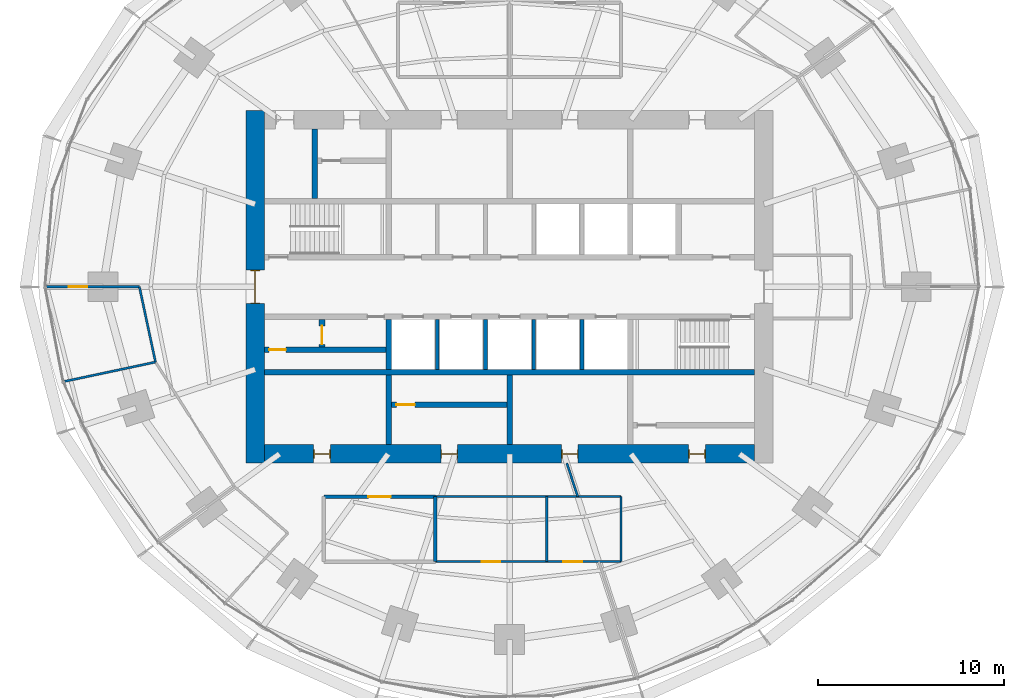
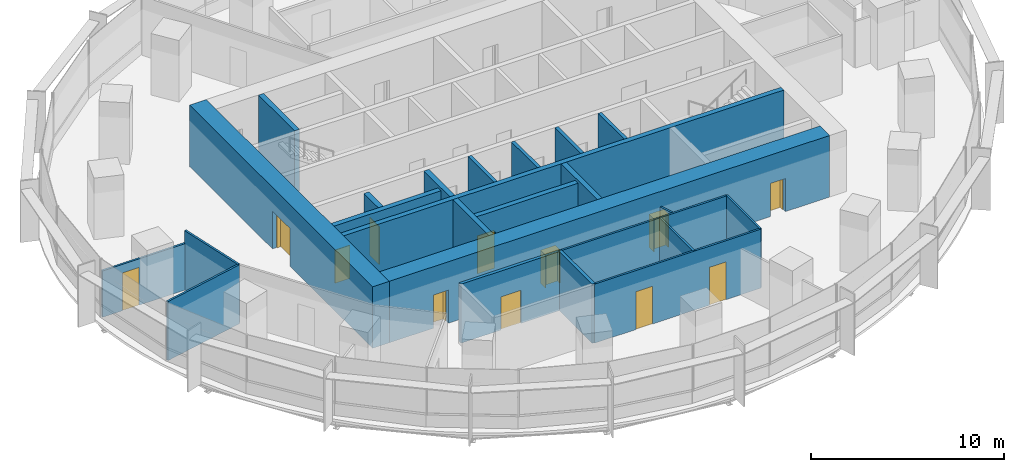
# One storey, part 10 of 14: 24 walls, 12 doors, 12 openings.
"""IFC4 building model written with IfcOpenShell, lengths in metres."""

import ifcopenshell
import ifcopenshell.guid

model = None  # the IFC model being written
_history = None  # IfcOwnerHistory: only IFC2X3 demands one
_inside = {}  # id of a spatial element -> (the spatial element, [elements in it])
_under = {}  # id of a project, library or spatial element -> (it, [spatial elements below it])
_declared = {}  # id of a project -> (the project, [libraries it declares])
_typed = {}  # id of a type object -> (the type object, [elements of that type])
_made_of = {}  # id of a material, layer set ... -> (it, [elements and type objects made of it])


def new_model(schema):
    """Start an empty IFC model of exactly this schema.

    Asked for "IFC4X3", IfcOpenShell would pick the latest addendum, in which some entities
    have other attributes; the version numbers below select the first issue.
    IFC2X3 requires an IfcOwnerHistory on every rooted entity: one is made here for all.
    """
    global model, _history
    if schema == "IFC4X3":
        model = ifcopenshell.file(schema_version=(4, 3, 0, 0))
    else:
        model = ifcopenshell.file(schema=schema)
    _inside.clear()
    _under.clear()
    _declared.clear()
    _typed.clear()
    _made_of.clear()
    _history = None
    if model.schema == "IFC2X3":
        org = make("IfcOrganization", Name="unknown")
        user = make(
            "IfcPersonAndOrganization",
            ThePerson=make("IfcPerson", FamilyName="unknown"),
            TheOrganization=org,
        )
        app = make(
            "IfcApplication",
            ApplicationDeveloper=org,
            Version="unknown",
            ApplicationFullName="unknown",
            ApplicationIdentifier="unknown",
        )
        _history = make(
            "IfcOwnerHistory",
            OwningUser=user,
            OwningApplication=app,
            ChangeAction="ADDED",
            CreationDate=0,
        )
    return model


def make(cls, **values):
    """One entity of the class cls with the attributes given. An attribute that is None is left unset."""
    return model.create_entity(
        cls, **{name: value for name, value in values.items() if value is not None}
    )


def rooted(cls, **values):
    """An entity with a GlobalId (a new one), such as an element, a storey or a relation."""
    return make(cls, GlobalId=ifcopenshell.guid.new(), OwnerHistory=_history, **values)


def si_unit(unit_type, name, prefix=None):
    """IfcSIUnit, for example si_unit("LENGTHUNIT", "METRE", prefix="MILLI")."""
    return make("IfcSIUnit", UnitType=unit_type, Prefix=prefix, Name=name)


def assignment(units):
    """IfcUnitAssignment: the units of a project."""
    return None if units is None else make("IfcUnitAssignment", Units=units)


def point(xyz):
    """IfcCartesianPoint."""
    return None if xyz is None else make("IfcCartesianPoint", Coordinates=xyz)


def direction(xyz):
    """IfcDirection."""
    return None if xyz is None else make("IfcDirection", DirectionRatios=xyz)


def frame(location, z_axis=None, x_axis=None):
    """IfcAxis2Placement3D, a coordinate frame: its origin and axes. An axis left out is left unset."""
    return make(
        "IfcAxis2Placement3D",
        Location=point(location),
        Axis=direction(z_axis),
        RefDirection=direction(x_axis),
    )


def frame_2d(location, x_axis=None):
    """IfcAxis2Placement2D, a coordinate frame in the plane: its origin and x axis."""
    return make(
        "IfcAxis2Placement2D", Location=point(location), RefDirection=direction(x_axis)
    )


def origin():
    """The frame at (0, 0, 0) with its axes left unset."""
    return frame((0.0, 0.0, 0.0))


def place(relative_to, where):
    """IfcLocalPlacement: puts the frame where relative to a parent placement (None: the world)."""
    return make(
        "IfcLocalPlacement", PlacementRelTo=relative_to, RelativePlacement=where
    )


def context(
    kind, dimensions, precision=None, world=None, true_north=None, identifier=None
):
    """IfcGeometricRepresentationContext, for example the 3D "Model" context."""
    return make(
        "IfcGeometricRepresentationContext",
        ContextIdentifier=identifier,
        ContextType=kind,
        CoordinateSpaceDimension=dimensions,
        Precision=precision,
        WorldCoordinateSystem=world,
        TrueNorth=true_north,
    )


def subcontext(parent, identifier, kind, view, scale=None):
    """IfcGeometricRepresentationSubContext, for example "Body" below "Model"."""
    return make(
        "IfcGeometricRepresentationSubContext",
        ContextIdentifier=identifier,
        ContextType=kind,
        ParentContext=parent,
        TargetScale=scale,
        TargetView=view,
    )


def project(units=None, contexts=None):
    """IfcProject with its units and contexts."""
    return rooted(
        "IfcProject",
        Name="project",
        RepresentationContexts=contexts,
        UnitsInContext=assignment(units),
    )


def spatial(cls, under=None, at=None, **own):
    """A site, building, storey or space (cls), placed at a placement, below another one or the project."""
    s = rooted(cls, ObjectPlacement=at, **own)
    if under is not None:
        _under.setdefault(under.id(), (under, []))[1].append(s)
    return s


def profile(cls, at=None, kind="AREA", **sizes):
    """A parametric profile (cls). Its sizes go by their IFC names, for example OverallWidth=200.0."""
    return make(cls, ProfileType=kind, Position=at, **sizes)


def rectangle(**sizes):
    """IfcRectangleProfileDef."""
    return profile("IfcRectangleProfileDef", **sizes)


def extrude(swept, where, along, depth):
    """IfcExtrudedAreaSolid: the profile swept, set in the frame where, extruded along a direction by depth."""
    return make(
        "IfcExtrudedAreaSolid",
        SweptArea=swept,
        Position=where,
        ExtrudedDirection=direction(along),
        Depth=depth,
    )


def shape(context_of_items, identifier, shape_type, items):
    """IfcShapeRepresentation: the items that make up one representation, for example the "Body"."""
    return make(
        "IfcShapeRepresentation",
        ContextOfItems=context_of_items,
        RepresentationIdentifier=identifier,
        RepresentationType=shape_type,
        Items=items,
    )


def material(Name=None, Category=None):
    """IfcMaterial."""
    return make("IfcMaterial", Name=Name, Category=Category)


def layer(
    of_material, thickness, ventilated=None, Name=None, Category=None, Priority=None
):
    """IfcMaterialLayer: one layer of a wall or slab, of a material (None: an air gap)."""
    return make(
        "IfcMaterialLayer",
        Material=of_material,
        LayerThickness=thickness,
        IsVentilated=ventilated,
        Name=Name,
        Category=Category,
        Priority=Priority,
    )


def layer_set(layers, Name=None):
    """IfcMaterialLayerSet."""
    return make("IfcMaterialLayerSet", MaterialLayers=layers, LayerSetName=Name)


def made_of(thing, what):
    """Note that an element or type object is made of a material, layer set ...; save() writes the relation."""
    if what is not None:
        _made_of.setdefault(what.id(), (what, []))[1].append(thing)
    return thing


def type_object(cls, material=None, **own):
    """A type object (cls), such as IfcWallType, which elements share."""
    return made_of(rooted(cls, **own), material)


def element(
    cls,
    number,
    at=None,
    inside=None,
    cuts=None,
    type_object=None,
    material=None,
    context=None,
    identifier="Body",
    shape_type=None,
    held_by="IfcProductDefinitionShape",
    body=None,
    shapes=None,
    **own,
):
    """One element of the class cls, such as IfcWall. Its Tag is "e" and its number.

    at: its placement. inside: the storey or other place that contains it. cuts: it is an
    opening in that element (IfcRelVoidsElement). A single representation is given by context,
    identifier, shape_type and body (its items); several are given by shapes. held_by: the class
    of the entity that holds the representations. save() writes the other relations.
    """
    e = rooted(cls, Tag="e%d" % number, ObjectPlacement=at, **own)
    if body is not None:
        shapes = [shape(context, identifier, shape_type, body)]
    if shapes is not None:
        e.Representation = make(held_by, Representations=shapes)
    if inside is not None:
        _inside.setdefault(inside.id(), (inside, []))[1].append(e)
    if cuts is not None:
        rooted(
            "IfcRelVoidsElement", RelatingBuildingElement=cuts, RelatedOpeningElement=e
        )
    if type_object is not None:
        _typed.setdefault(type_object.id(), (type_object, []))[1].append(e)
    return made_of(e, material)


def fill(opening, filler):
    """IfcRelFillsElement: the door or window that sits in an opening."""
    return rooted(
        "IfcRelFillsElement",
        RelatingOpeningElement=opening,
        RelatedBuildingElement=filler,
    )


def aggregate(whole, parts):
    """IfcRelAggregates: a whole, such as a stair, and the parts it consists of."""
    return rooted("IfcRelAggregates", RelatingObject=whole, RelatedObjects=parts)


def save(model, path):
    """Write the relations noted so far, then the file.

    IfcRelAggregates (storeys below a building ...), IfcRelContainedInSpatialStructure (elements
    in a storey), IfcRelDefinesByType, IfcRelAssociatesMaterial and IfcRelDeclares: one each for
    every whole, place, type object, material and project.
    """
    for whole, parts in _under.values():
        aggregate(whole, parts)
    for where, things in _inside.values():
        rooted(
            "IfcRelContainedInSpatialStructure",
            RelatedElements=things,
            RelatingStructure=where,
        )
    for kind, things in _typed.values():
        rooted("IfcRelDefinesByType", RelatedObjects=things, RelatingType=kind)
    for what, things in _made_of.values():
        rooted("IfcRelAssociatesMaterial", RelatedObjects=things, RelatingMaterial=what)
    for by, libraries in _declared.values():
        rooted("IfcRelDeclares", RelatingContext=by, RelatedDefinitions=libraries)
    model.write(path)


model = new_model("IFC4")

# Units and contexts
model_context = context("Model", 3, precision=1e-05, world=origin(), true_north=direction((0.0, 1.0)))
body_context = subcontext(model_context, "Body", "Model", "MODEL_VIEW")
ifc_project = project(units=[si_unit("LENGTHUNIT", "METRE"), si_unit("AREAUNIT", "SQUARE_METRE"), si_unit("VOLUMEUNIT", "CUBIC_METRE"), si_unit("PLANEANGLEUNIT", "RADIAN"), si_unit("MASSUNIT", "GRAM", prefix="KILO")], contexts=[model_context])

# Site, building, storey
site_placement = place(None, origin())
site = spatial("IfcSite", under=ifc_project, at=site_placement, CompositionType="ELEMENT")
building_placement = place(site_placement, origin())
building = spatial("IfcBuilding", under=site, at=building_placement, Name="Marramba Exchange Tower", CompositionType="ELEMENT")
storey_placement = place(building_placement, frame((0.0, 0.0, 100.199951171875)))
storey = spatial("IfcBuildingStorey", under=building, at=storey_placement, Name="L23", CompositionType="ELEMENT", Elevation=100.199951171875)

# Walls
ifc_material_1 = material(Name="Concrete N50", Category="concrete")
ifc_layer_1 = layer(ifc_material_1, 0.199951171875)
ifc_layer_set_1 = layer_set([ifc_layer_1], Name="Core shaft wall 200")
wall_type_1 = type_object("IfcWallType", Name="Core shaft wall 200", PredefinedType="SHEAR", material=ifc_layer_set_1)
for number, where, z_axis, x_axis, name in (
    (1, (-3.89990234375, -1.75, 0.0), (0.0, 0.0, 1.0), (0.0, -1.0, 0.0), "Core wall SHS1 L23"),
    (2, (-1.300048828125, -1.75, 0.0), (0.0, 0.0, 1.0), (0.0, -1.0, 0.0), "Core wall SHS2 L23"),
    (3, (1.300048828125, -1.75, 0.0), (0.0, 0.0, 1.0), (0.0, -1.0, 0.0), "Core wall SHS3 L23"),
    (4, (3.89990234375, -1.75, 0.0), (0.0, 0.0, 1.0), (0.0, -1.0, 0.0), "Core wall SHS4 L23"),
):
    element("IfcWall", number, at=place(storey_placement, frame(where, z_axis=z_axis, x_axis=x_axis)), inside=storey, type_object=wall_type_1, Name=name, PredefinedType="SHEAR", context=body_context, shape_type="SweptSolid", body=[
        extrude(rectangle(XDim=2.699951171875, YDim=0.199951171875, at=frame_2d((1.35009765625, 0.0))), origin(), (0.0, 0.0, 1.0), 3.900146484375),
    ])

# Wall, openings, doors
ifc_layer_2 = layer(ifc_material_1, 1.0)
ifc_layer_set_2 = layer_set([ifc_layer_2], Name="Core wall 1000")
wall_type_2 = type_object("IfcWallType", Name="Core wall 1000", PredefinedType="SHEAR", material=ifc_layer_set_2)
wall_1_placement = place(storey_placement, frame((-13.199951171875, -9.0, 0.0), z_axis=(0.0, 0.0, 1.0), x_axis=(1.0, 0.0, 0.0)))
wall_1 = element("IfcWall", 5, at=wall_1_placement, inside=storey, type_object=wall_type_2, Name="Core wall S L23", PredefinedType="SHEAR", context=body_context, shape_type="SweptSolid", body=[
    extrude(rectangle(XDim=26.39990234375, YDim=1.0, at=frame_2d((13.199951171875, 0.0))), origin(), (0.0, 0.0, 1.0), 3.900146484375),
])
opening_1_placement = place(wall_1_placement, frame((2.64990234375, 0.0, 0.0)))
opening_1 = element("IfcOpeningElement", 6, at=opening_1_placement, cuts=wall_1, Name="Opening D5", PredefinedType="OPENING", context=body_context, shape_type="SweptSolid", body=[
    extrude(rectangle(XDim=0.89990234375, YDim=2.10009765625, at=frame_2d((0.449951171875, 1.050048828125))), frame((0.0, 0.510009765625, 0.0), z_axis=(0.0, -1.0, 0.0), x_axis=(1.0, 0.0, 0.0)), (0.0, 0.0, 1.0), 1.02001953125),
])
opening_2_placement = place(wall_1_placement, frame((9.5, 0.0, 0.0)))
opening_2 = element("IfcOpeningElement", 7, at=opening_2_placement, cuts=wall_1, Name="Opening D5", PredefinedType="OPENING", context=body_context, shape_type="SweptSolid", body=[
    extrude(rectangle(XDim=0.89990234375, YDim=2.10009765625, at=frame_2d((0.449951171875, 1.050048828125))), frame((0.0, 0.510009765625, 0.0), z_axis=(0.0, -1.0, 0.0), x_axis=(1.0, 0.0, 0.0)), (0.0, 0.0, 1.0), 1.02001953125),
])
opening_3_placement = place(wall_1_placement, frame((16.0, 0.0, 0.0)))
opening_3 = element("IfcOpeningElement", 8, at=opening_3_placement, cuts=wall_1, Name="Opening D5", PredefinedType="OPENING", context=body_context, shape_type="SweptSolid", body=[
    extrude(rectangle(XDim=0.89990234375, YDim=2.10009765625, at=frame_2d((0.449951171875, 1.050048828125))), frame((0.0, 0.510009765625, 0.0), z_axis=(0.0, -1.0, 0.0), x_axis=(1.0, 0.0, 0.0)), (0.0, 0.0, 1.0), 1.02001953125),
])
opening_4_placement = place(wall_1_placement, frame((22.85009765625, 0.0, 0.0)))
opening_4 = element("IfcOpeningElement", 9, at=opening_4_placement, cuts=wall_1, Name="Opening D5", PredefinedType="OPENING", context=body_context, shape_type="SweptSolid", body=[
    extrude(rectangle(XDim=0.89990234375, YDim=2.10009765625, at=frame_2d((0.449951171875, 1.050048828125))), frame((0.0, 0.510009765625, 0.0), z_axis=(0.0, -1.0, 0.0), x_axis=(1.0, 0.0, 0.0)), (0.0, 0.0, 1.0), 1.02001953125),
])
ifc_material_2 = material(Name="Steel-framed door", Category="steel")
door_type_1 = type_object("IfcDoorType", Name="Service door 900x2100", OperationType="SINGLE_SWING_LEFT", PredefinedType="DOOR", material=ifc_material_2)
door_1_placement = place(opening_1_placement, origin())
door_1 = element("IfcDoor", 10, at=door_1_placement, inside=storey, type_object=door_type_1, Name="D5 ahu L23", OperationType="SINGLE_SWING_LEFT", OverallHeight=2.10009765625, OverallWidth=0.89990234375, PredefinedType="DOOR", context=body_context, shape_type="SweptSolid", body=[
    extrude(rectangle(XDim=0.81982421875, YDim=2.06005859375, at=frame_2d((0.449951171875, 1.030029296875))), frame((0.0, 0.02490234375, 0.0), z_axis=(0.0, -1.0, 0.0), x_axis=(1.0, 0.0, 0.0)), (0.0, 0.0, 1.0), 0.050048828125),
    extrude(rectangle(XDim=0.04, YDim=2.10009765625, at=frame_2d((0.02001953125, 1.050048828125))), frame((0.0, 0.25, 0.0), z_axis=(0.0, -1.0, 0.0), x_axis=(1.0, 0.0, 0.0)), (0.0, 0.0, 1.0), 0.5),
    extrude(rectangle(XDim=0.04, YDim=2.10009765625, at=frame_2d((0.8798828125, 1.050048828125))), frame((0.0, 0.25, 0.0), z_axis=(0.0, -1.0, 0.0), x_axis=(1.0, 0.0, 0.0)), (0.0, 0.0, 1.0), 0.5),
    extrude(rectangle(XDim=0.81982421875, YDim=0.04, at=frame_2d((0.449951171875, 2.080078125))), frame((0.0, 0.25, 0.0), z_axis=(0.0, -1.0, 0.0), x_axis=(1.0, 0.0, 0.0)), (0.0, 0.0, 1.0), 0.5),
])
fill(opening_1, door_1)
door_2_placement = place(opening_2_placement, origin())
door_2 = element("IfcDoor", 11, at=door_2_placement, inside=storey, type_object=door_type_1, Name="D5 store L23", OperationType="SINGLE_SWING_RIGHT", OverallHeight=2.10009765625, OverallWidth=0.89990234375, PredefinedType="DOOR", context=body_context, shape_type="SweptSolid", body=[
    extrude(rectangle(XDim=0.81982421875, YDim=2.06005859375, at=frame_2d((0.449951171875, 1.030029296875))), frame((0.0, 0.02490234375, 0.0), z_axis=(0.0, -1.0, 0.0), x_axis=(1.0, 0.0, 0.0)), (0.0, 0.0, 1.0), 0.050048828125),
    extrude(rectangle(XDim=0.04, YDim=2.10009765625, at=frame_2d((0.02001953125, 1.050048828125))), frame((0.0, 0.25, 0.0), z_axis=(0.0, -1.0, 0.0), x_axis=(1.0, 0.0, 0.0)), (0.0, 0.0, 1.0), 0.5),
    extrude(rectangle(XDim=0.04, YDim=2.10009765625, at=frame_2d((0.8798828125, 1.050048828125))), frame((0.0, 0.25, 0.0), z_axis=(0.0, -1.0, 0.0), x_axis=(1.0, 0.0, 0.0)), (0.0, 0.0, 1.0), 0.5),
    extrude(rectangle(XDim=0.81982421875, YDim=0.04, at=frame_2d((0.449951171875, 2.080078125))), frame((0.0, 0.25, 0.0), z_axis=(0.0, -1.0, 0.0), x_axis=(1.0, 0.0, 0.0)), (0.0, 0.0, 1.0), 0.5),
])
fill(opening_2, door_2)
door_3_placement = place(opening_3_placement, origin())
door_3 = element("IfcDoor", 12, at=door_3_placement, inside=storey, type_object=door_type_1, Name="D5 switch L23", OperationType="SINGLE_SWING_RIGHT", OverallHeight=2.10009765625, OverallWidth=0.89990234375, PredefinedType="DOOR", context=body_context, shape_type="SweptSolid", body=[
    extrude(rectangle(XDim=0.81982421875, YDim=2.06005859375, at=frame_2d((0.449951171875, 1.030029296875))), frame((0.0, 0.02490234375, 0.0), z_axis=(0.0, -1.0, 0.0), x_axis=(1.0, 0.0, 0.0)), (0.0, 0.0, 1.0), 0.050048828125),
    extrude(rectangle(XDim=0.04, YDim=2.10009765625, at=frame_2d((0.02001953125, 1.050048828125))), frame((0.0, 0.25, 0.0), z_axis=(0.0, -1.0, 0.0), x_axis=(1.0, 0.0, 0.0)), (0.0, 0.0, 1.0), 0.5),
    extrude(rectangle(XDim=0.04, YDim=2.10009765625, at=frame_2d((0.8798828125, 1.050048828125))), frame((0.0, 0.25, 0.0), z_axis=(0.0, -1.0, 0.0), x_axis=(1.0, 0.0, 0.0)), (0.0, 0.0, 1.0), 0.5),
    extrude(rectangle(XDim=0.81982421875, YDim=0.04, at=frame_2d((0.449951171875, 2.080078125))), frame((0.0, 0.25, 0.0), z_axis=(0.0, -1.0, 0.0), x_axis=(1.0, 0.0, 0.0)), (0.0, 0.0, 1.0), 0.5),
])
fill(opening_3, door_3)
door_4_placement = place(opening_4_placement, origin())
door_4 = element("IfcDoor", 13, at=door_4_placement, inside=storey, type_object=door_type_1, Name="D5 cstore L23", OperationType="SINGLE_SWING_RIGHT", OverallHeight=2.10009765625, OverallWidth=0.89990234375, PredefinedType="DOOR", context=body_context, shape_type="SweptSolid", body=[
    extrude(rectangle(XDim=0.81982421875, YDim=2.06005859375, at=frame_2d((0.449951171875, 1.030029296875))), frame((0.0, 0.02490234375, 0.0), z_axis=(0.0, -1.0, 0.0), x_axis=(1.0, 0.0, 0.0)), (0.0, 0.0, 1.0), 0.050048828125),
    extrude(rectangle(XDim=0.04, YDim=2.10009765625, at=frame_2d((0.02001953125, 1.050048828125))), frame((0.0, 0.25, 0.0), z_axis=(0.0, -1.0, 0.0), x_axis=(1.0, 0.0, 0.0)), (0.0, 0.0, 1.0), 0.5),
    extrude(rectangle(XDim=0.04, YDim=2.10009765625, at=frame_2d((0.8798828125, 1.050048828125))), frame((0.0, 0.25, 0.0), z_axis=(0.0, -1.0, 0.0), x_axis=(1.0, 0.0, 0.0)), (0.0, 0.0, 1.0), 0.5),
    extrude(rectangle(XDim=0.81982421875, YDim=0.04, at=frame_2d((0.449951171875, 2.080078125))), frame((0.0, 0.25, 0.0), z_axis=(0.0, -1.0, 0.0), x_axis=(1.0, 0.0, 0.0)), (0.0, 0.0, 1.0), 0.5),
])
fill(opening_4, door_4)

# Wall, opening, door
wall_2_placement = place(storey_placement, frame((-13.699951171875, 9.5, 0.0), z_axis=(0.0, 0.0, 1.0), x_axis=(0.0, -1.0, 0.0)))
wall_2 = element("IfcWall", 14, at=wall_2_placement, inside=storey, type_object=wall_type_2, Name="Core wall W L23", PredefinedType="SHEAR", context=body_context, shape_type="SweptSolid", body=[
    extrude(rectangle(XDim=19.0, YDim=1.0, at=frame_2d((9.5, 0.0))), origin(), (0.0, 0.0, 1.0), 3.900146484375),
])
opening_5_placement = place(wall_2_placement, frame((8.60009765625, 0.0, 0.0)))
opening_5 = element("IfcOpeningElement", 15, at=opening_5_placement, cuts=wall_2, Name="Opening D1", PredefinedType="OPENING", context=body_context, shape_type="SweptSolid", body=[
    extrude(rectangle(XDim=1.800048828125, YDim=2.39990234375, at=frame_2d((0.89990234375, 1.199951171875))), frame((0.0, 0.510009765625, 0.0), z_axis=(0.0, -1.0, 0.0), x_axis=(1.0, 0.0, 0.0)), (0.0, 0.0, 1.0), 1.02001953125),
])
door_type_2 = type_object("IfcDoorType", Name="Lobby exit door 1800x2400", OperationType="DOUBLE_DOOR_SINGLE_SWING", PredefinedType="DOOR", material=ifc_material_2)
door_5_placement = place(opening_5_placement, origin())
door_5 = element("IfcDoor", 16, at=door_5_placement, inside=storey, type_object=door_type_2, Name="D1 lobby exit west L23", OperationType="DOUBLE_DOOR_SINGLE_SWING", OverallHeight=2.39990234375, OverallWidth=1.800048828125, PredefinedType="DOOR", context=body_context, shape_type="SweptSolid", body=[
    extrude(rectangle(XDim=1.719970703125, YDim=2.35986328125, at=frame_2d((0.89990234375, 1.179931640625))), frame((0.0, 0.02490234375, 0.0), z_axis=(0.0, -1.0, 0.0), x_axis=(1.0, 0.0, 0.0)), (0.0, 0.0, 1.0), 0.050048828125),
    extrude(rectangle(XDim=0.04, YDim=2.39990234375, at=frame_2d((0.02001953125, 1.199951171875))), frame((0.0, 0.25, 0.0), z_axis=(0.0, -1.0, 0.0), x_axis=(1.0, 0.0, 0.0)), (0.0, 0.0, 1.0), 0.5),
    extrude(rectangle(XDim=0.04, YDim=2.39990234375, at=frame_2d((1.780029296875, 1.199951171875))), frame((0.0, 0.25, 0.0), z_axis=(0.0, -1.0, 0.0), x_axis=(1.0, 0.0, 0.0)), (0.0, 0.0, 1.0), 0.5),
    extrude(rectangle(XDim=1.719970703125, YDim=0.04, at=frame_2d((0.89990234375, 2.3798828125))), frame((0.0, 0.25, 0.0), z_axis=(0.0, -1.0, 0.0), x_axis=(1.0, 0.0, 0.0)), (0.0, 0.0, 1.0), 0.5),
])
fill(opening_5, door_5)

# Walls
ifc_layer_3 = layer(ifc_material_1, 0.300048828125)
ifc_layer_set_3 = layer_set([ifc_layer_3], Name="Core wall 300")
wall_type_3 = type_object("IfcWallType", Name="Core wall 300", PredefinedType="SHEAR", material=ifc_layer_set_3)
wall_3_placement = place(storey_placement, frame((-13.199951171875, -4.60009765625, 0.0), z_axis=(0.0, 0.0, 1.0), x_axis=(1.0, 0.0, 0.0)))
element("IfcWall", 17, at=wall_3_placement, inside=storey, type_object=wall_type_3, Name="Core wall BS L23", PredefinedType="SHEAR", context=body_context, shape_type="SweptSolid", body=[
    extrude(rectangle(XDim=26.39990234375, YDim=0.300048828125, at=frame_2d((13.199951171875, 0.0))), origin(), (0.0, 0.0, 1.0), 3.900146484375),
])
wall_4_placement = place(storey_placement, frame((-6.5, -1.75, 0.0), z_axis=(0.0, 0.0, 1.0), x_axis=(0.0, -1.0, 0.0)))
element("IfcWall", 18, at=wall_4_placement, inside=storey, type_object=wall_type_3, Name="Core wall X0Sa L23", PredefinedType="SHEAR", context=body_context, shape_type="SweptSolid", body=[
    extrude(rectangle(XDim=2.699951171875, YDim=0.300048828125, at=frame_2d((1.35009765625, 0.0))), origin(), (0.0, 0.0, 1.0), 3.900146484375),
])
for number, where, z_axis, x_axis, name in (
    (19, (-6.5, -4.75, 0.0), (0.0, 0.0, 1.0), (0.0, -1.0, 0.0), "Core wall X0Sb L23"),
    (20, (0.0, -4.75, 0.0), (0.0, 0.0, 1.0), (0.0, -1.0, 0.0), "Core wall MS L23"),
    (21, (-10.5, 4.75, 0.0), (0.0, 0.0, 1.0), (0.0, 1.0, 0.0), "Core wall WD L23"),
):
    element("IfcWall", number, at=place(storey_placement, frame(where, z_axis=z_axis, x_axis=x_axis)), inside=storey, type_object=wall_type_3, Name=name, PredefinedType="SHEAR", context=body_context, shape_type="SweptSolid", body=[
        extrude(rectangle(XDim=3.75, YDim=0.300048828125, at=frame_2d((1.875, 0.0))), origin(), (0.0, 0.0, 1.0), 3.900146484375),
    ])

# Wall, opening, door
ifc_material_3 = material(Name="Core-filled concrete blockwork, rendered", Category="masonry")
ifc_layer_4 = layer(ifc_material_3, 0.18994140625)
ifc_layer_set_4 = layer_set([ifc_layer_4], Name="Equipment room wall 190")
wall_type_4 = type_object("IfcWallType", Name="Equipment room wall 190", PredefinedType="SOLIDWALL", material=ifc_layer_set_4)
wall_5_placement = place(storey_placement, frame((-4.0, -11.300048828125, 0.0), z_axis=(0.0, 0.0, 1.0), x_axis=(-1.0, 0.0, 0.0)))
wall_5 = element("IfcWall", 22, at=wall_5_placement, inside=storey, type_object=wall_type_4, Name="Equipment room wall L23 08", PredefinedType="SOLIDWALL", context=body_context, shape_type="SweptSolid", body=[
    extrude(rectangle(XDim=6.0, YDim=0.18994140625, at=frame_2d((3.0, 0.0))), origin(), (0.0, 0.0, 1.0), 3.739990234375),
])
opening_6_placement = place(wall_5_placement, frame((2.39990234375, 0.0, 0.0)))
opening_6 = element("IfcOpeningElement", 23, at=opening_6_placement, cuts=wall_5, Name="Opening D16", PredefinedType="OPENING", context=body_context, shape_type="SweptSolid", body=[
    extrude(rectangle(XDim=1.199951171875, YDim=2.10009765625, at=frame_2d((0.60009765625, 1.050048828125))), frame((0.0, 0.10498046875, 0.0), z_axis=(0.0, -1.0, 0.0), x_axis=(1.0, 0.0, 0.0)), (0.0, 0.0, 1.0), 0.2099609375),
])
door_type_3 = type_object("IfcDoorType", Name="Equipment room door 1200x2100", OperationType="SINGLE_SWING_LEFT", PredefinedType="DOOR", material=ifc_material_2)
door_6_placement = place(opening_6_placement, origin())
door_6 = element("IfcDoor", 24, at=door_6_placement, inside=storey, type_object=door_type_3, Name="D16 Records Store L23", OperationType="SINGLE_SWING_RIGHT", OverallHeight=2.10009765625, OverallWidth=1.199951171875, PredefinedType="DOOR", context=body_context, shape_type="SweptSolid", body=[
    extrude(rectangle(XDim=1.199951171875, YDim=2.10009765625, at=frame_2d((0.60009765625, 1.050048828125))), frame((0.0, 0.02490234375, 0.0), z_axis=(0.0, -1.0, 0.0), x_axis=(1.0, 0.0, 0.0)), (0.0, 0.0, 1.0), 0.050048828125),
])
fill(opening_6, door_6)

# Walls
wall_6_placement = place(storey_placement, frame((-4.0, -11.300048828125, 0.0), z_axis=(0.0, 0.0, 1.0), x_axis=(0.0, -1.0, 0.0)))
element("IfcWall", 25, at=wall_6_placement, inside=storey, type_object=wall_type_4, Name="Equipment room wall L23 10", PredefinedType="SOLIDWALL", context=body_context, shape_type="SweptSolid", body=[
    extrude(rectangle(XDim=3.5, YDim=0.18994140625, at=frame_2d((1.75, 0.0))), origin(), (0.0, 0.0, 1.0), 3.739990234375),
])
ifc_material_4 = material(Name="Plasterboard on steel studs", Category="steel")
ifc_layer_5 = layer(ifc_material_4, 0.1201171875)
ifc_layer_set_5 = layer_set([ifc_layer_5], Name="Partition 120")
wall_type_5 = type_object("IfcWallType", Name="Partition 120", PredefinedType="PARTITIONING", material=ifc_layer_set_5)
wall_7_placement = place(storey_placement, frame((-19.069580078125, -4.053466796875, 0.0), z_axis=(0.0, 0.0, 1.0), x_axis=(-0.209484846429, 0.977811893524, 0.0)))
element("IfcWall", 26, at=wall_7_placement, inside=storey, type_object=wall_type_5, Name="Partition L23 01", PredefinedType="PARTITIONING", context=body_context, shape_type="SweptSolid", body=[
    extrude(rectangle(XDim=4.1455078125, YDim=0.1201171875, at=frame_2d((2.07275390625, 0.0))), origin(), (0.0, 0.0, 1.0), 3.739990234375),
])
wall_8_placement = place(storey_placement, frame((-19.069580078125, -4.053466796875, 0.0), z_axis=(0.0, 0.0, 1.0), x_axis=(-0.978149046495, -0.207904888932, 0.0)))
element("IfcWall", 27, at=wall_8_placement, inside=storey, type_object=wall_type_5, Name="Partition L23 02", PredefinedType="PARTITIONING", context=body_context, shape_type="SweptSolid", body=[
    extrude(rectangle(XDim=5.000244140625, YDim=0.1201171875, at=frame_2d((2.5, 0.0))), origin(), (0.0, 0.0, 1.0), 3.739990234375),
])

# Wall, openings, doors
wall_9_placement = place(storey_placement, frame((-4.0, -14.800048828125, 0.0), z_axis=(0.0, 0.0, 1.0), x_axis=(1.0, 0.0, 0.0)))
wall_9 = element("IfcWall", 28, at=wall_9_placement, inside=storey, type_object=wall_type_5, Name="Partition L23 11", PredefinedType="PARTITIONING", context=body_context, shape_type="SweptSolid", body=[
    extrude(rectangle(XDim=10.0, YDim=0.1201171875, at=frame_2d((5.0, 0.0))), origin(), (0.0, 0.0, 1.0), 3.739990234375),
])
opening_7_placement = place(wall_9_placement, frame((2.5, 0.0, 0.0)))
opening_7 = element("IfcOpeningElement", 29, at=opening_7_placement, cuts=wall_9, Name="Opening D9", PredefinedType="OPENING", context=body_context, shape_type="SweptSolid", body=[
    extrude(rectangle(XDim=1.0, YDim=2.39990234375, at=frame_2d((0.5, 1.199951171875))), frame((0.0, 0.070068359375, 0.0), z_axis=(0.0, -1.0, 0.0), x_axis=(1.0, 0.0, 0.0)), (0.0, 0.0, 1.0), 0.14013671875),
])
opening_8_placement = place(wall_9_placement, frame((6.904052734375, 0.0, 0.0)))
opening_8 = element("IfcOpeningElement", 30, at=opening_8_placement, cuts=wall_9, Name="Opening D9", PredefinedType="OPENING", context=body_context, shape_type="SweptSolid", body=[
    extrude(rectangle(XDim=1.0, YDim=2.39990234375, at=frame_2d((0.5, 1.199951171875))), frame((0.0, 0.070068359375, 0.0), z_axis=(0.0, -1.0, 0.0), x_axis=(1.0, 0.0, 0.0)), (0.0, 0.0, 1.0), 0.14013671875),
])
ifc_material_5 = material(Name="Timber door", Category="wood")
door_type_4 = type_object("IfcDoorType", Name="Room door 1000x2400", OperationType="SINGLE_SWING_LEFT", PredefinedType="DOOR", material=ifc_material_5)
door_7_placement = place(opening_7_placement, origin())
door_7 = element("IfcDoor", 31, at=door_7_placement, inside=storey, type_object=door_type_4, Name="D9 Pantry L23", OperationType="SINGLE_SWING_RIGHT", OverallHeight=2.39990234375, OverallWidth=1.0, PredefinedType="DOOR", context=body_context, shape_type="SweptSolid", body=[
    extrude(rectangle(XDim=1.0, YDim=2.39990234375, at=frame_2d((0.5, 1.199951171875))), frame((0.0, 0.02490234375, 0.0), z_axis=(0.0, -1.0, 0.0), x_axis=(1.0, 0.0, 0.0)), (0.0, 0.0, 1.0), 0.050048828125),
])
fill(opening_7, door_7)
door_8_placement = place(opening_8_placement, origin())
door_8 = element("IfcDoor", 32, at=door_8_placement, inside=storey, type_object=door_type_4, Name="D9 Print Room L23", OperationType="SINGLE_SWING_LEFT", OverallHeight=2.39990234375, OverallWidth=1.0, PredefinedType="DOOR", context=body_context, shape_type="SweptSolid", body=[
    extrude(rectangle(XDim=1.0, YDim=2.39990234375, at=frame_2d((0.5, 1.199951171875))), frame((0.0, 0.02490234375, 0.0), z_axis=(0.0, -1.0, 0.0), x_axis=(1.0, 0.0, 0.0)), (0.0, 0.0, 1.0), 0.050048828125),
])
fill(opening_8, door_8)

# Walls
wall_10_placement = place(storey_placement, frame((6.0, -11.300048828125, 0.0), z_axis=(0.0, 0.0, 1.0), x_axis=(-1.0, 0.0, 0.0)))
element("IfcWall", 33, at=wall_10_placement, inside=storey, type_object=wall_type_5, Name="Partition L23 12", PredefinedType="PARTITIONING", context=body_context, shape_type="SweptSolid", body=[
    extrude(rectangle(XDim=10.0, YDim=0.1201171875, at=frame_2d((5.0, 0.0))), origin(), (0.0, 0.0, 1.0), 3.739990234375),
])
wall_11_placement = place(storey_placement, frame((2.0, -11.300048828125, 0.0), z_axis=(0.0, 0.0, 1.0), x_axis=(0.0, -1.0, 0.0)))
element("IfcWall", 34, at=wall_11_placement, inside=storey, type_object=wall_type_5, Name="Partition L23 13", PredefinedType="PARTITIONING", context=body_context, shape_type="SweptSolid", body=[
    extrude(rectangle(XDim=3.5, YDim=0.1201171875, at=frame_2d((1.75, 0.0))), origin(), (0.0, 0.0, 1.0), 3.739990234375),
])
wall_12_placement = place(storey_placement, frame((3.671630859375, -11.300048828125, 0.0), z_axis=(0.0, 0.0, 1.0), x_axis=(-0.309059822154, 0.95104259964, 0.0)))
element("IfcWall", 35, at=wall_12_placement, inside=storey, type_object=wall_type_5, Name="Partition L23 14", PredefinedType="PARTITIONING", context=body_context, shape_type="SweptSolid", body=[
    extrude(rectangle(XDim=1.892822265625, YDim=0.1201171875, at=frame_2d((0.9462890625, 0.0))), origin(), (0.0, 0.0, 1.0), 2.93994140625),
])
wall_13_placement = place(storey_placement, frame((6.0, -14.800048828125, 0.0), z_axis=(0.0, 0.0, 1.0), x_axis=(0.0, 1.0, 0.0)))
element("IfcWall", 36, at=wall_13_placement, inside=storey, type_object=wall_type_5, Name="Partition L23 16", PredefinedType="PARTITIONING", context=body_context, shape_type="SweptSolid", body=[
    extrude(rectangle(XDim=3.5, YDim=0.1201171875, at=frame_2d((1.75, 0.0))), origin(), (0.0, 0.0, 1.0), 3.739990234375),
])

# Wall, opening, door
wall_14_placement = place(storey_placement, frame((-19.93798828125, 0.0, 0.0), z_axis=(0.0, 0.0, 1.0), x_axis=(-1.0, 0.0, 0.0)))
wall_14 = element("IfcWall", 37, at=wall_14_placement, inside=storey, type_object=wall_type_5, Name="Partition L23 33", PredefinedType="PARTITIONING", context=body_context, shape_type="SweptSolid", body=[
    extrude(rectangle(XDim=5.0, YDim=0.1201171875, at=frame_2d((2.5, 0.0))), origin(), (0.0, 0.0, 1.0), 2.93994140625),
])
opening_9_placement = place(wall_14_placement, frame((2.800048828125, 0.0, 0.0)))
opening_9 = element("IfcOpeningElement", 38, at=opening_9_placement, cuts=wall_14, Name="Opening D9", PredefinedType="OPENING", context=body_context, shape_type="SweptSolid", body=[
    extrude(rectangle(XDim=1.0, YDim=2.39990234375, at=frame_2d((0.5, 1.199951171875))), frame((0.0, 0.070068359375, 0.0), z_axis=(0.0, -1.0, 0.0), x_axis=(1.0, 0.0, 0.0)), (0.0, 0.0, 1.0), 0.14013671875),
])
door_9_placement = place(opening_9_placement, origin())
door_9 = element("IfcDoor", 39, at=door_9_placement, inside=storey, type_object=door_type_4, Name="D9 Compliance Office 4 L23", OperationType="SINGLE_SWING_RIGHT", OverallHeight=2.39990234375, OverallWidth=1.0, PredefinedType="DOOR", context=body_context, shape_type="SweptSolid", body=[
    extrude(rectangle(XDim=1.0, YDim=2.39990234375, at=frame_2d((0.5, 1.199951171875))), frame((0.0, 0.02490234375, 0.0), z_axis=(0.0, -1.0, 0.0), x_axis=(1.0, 0.0, 0.0)), (0.0, 0.0, 1.0), 0.050048828125),
])
fill(opening_9, door_9)

ifc_material_6 = material(Name="Core-filled concrete blockwork", Category="masonry")
ifc_layer_6 = layer(ifc_material_6, 0.300048828125)
ifc_layer_set_6 = layer_set([ifc_layer_6], Name="Riser enclosure wall 300")
wall_type_6 = type_object("IfcWallType", Name="Riser enclosure wall 300", PredefinedType="SOLIDWALL", material=ifc_layer_set_6)
wall_15_placement = place(storey_placement, frame((-13.199951171875, -3.39990234375, 0.0), z_axis=(0.0, 0.0, 1.0), x_axis=(1.0, 0.0, 0.0)))
wall_15 = element("IfcWall", 40, at=wall_15_placement, inside=storey, type_object=wall_type_6, Name="Riser enclosure wall L23", PredefinedType="SOLIDWALL", context=body_context, shape_type="SweptSolid", body=[
    extrude(rectangle(XDim=6.550048828125, YDim=0.300048828125, at=frame_2d((3.27490234375, 0.0))), origin(), (0.0, 0.0, 1.0), 3.739990234375),
])
opening_10_placement = place(wall_15_placement, frame((0.25, 0.0, 0.0)))
opening_10 = element("IfcOpeningElement", 41, at=opening_10_placement, cuts=wall_15, Name="Opening D5", PredefinedType="OPENING", context=body_context, shape_type="SweptSolid", body=[
    extrude(rectangle(XDim=0.89990234375, YDim=2.10009765625, at=frame_2d((0.449951171875, 1.050048828125))), frame((0.0, 0.159912109375, 0.0), z_axis=(0.0, -1.0, 0.0), x_axis=(1.0, 0.0, 0.0)), (0.0, 0.0, 1.0), 0.320068359375),
])
door_10_placement = place(opening_10_placement, origin())
door_10 = element("IfcDoor", 42, at=door_10_placement, inside=storey, type_object=door_type_1, Name="D5 electrical riser back L23", OperationType="SINGLE_SWING_LEFT", OverallHeight=2.10009765625, OverallWidth=0.89990234375, PredefinedType="DOOR", context=body_context, shape_type="SweptSolid", body=[
    extrude(rectangle(XDim=0.89990234375, YDim=2.10009765625, at=frame_2d((0.449951171875, 1.050048828125))), frame((0.0, 0.02490234375, 0.0), z_axis=(0.0, -1.0, 0.0), x_axis=(1.0, 0.0, 0.0)), (0.0, 0.0, 1.0), 0.050048828125),
])
fill(opening_10, door_10)

ifc_material_7 = material(Name="Plasterboard on steel studs, insulated, unrated", Category="steel")
ifc_layer_7 = layer(ifc_material_7, 0.300048828125)
ifc_layer_set_7 = layer_set([ifc_layer_7], Name="Store partition 300")
wall_type_7 = type_object("IfcWallType", Name="Store partition 300", PredefinedType="PARTITIONING", material=ifc_layer_set_7)
wall_16_placement = place(storey_placement, frame((-6.35009765625, -6.360107421875, 0.0), z_axis=(0.0, 0.0, 1.0), x_axis=(1.0, 0.0, 0.0)))
wall_16 = element("IfcWall", 43, at=wall_16_placement, inside=storey, type_object=wall_type_7, Name="Store partition L23 store", PredefinedType="PARTITIONING", context=body_context, shape_type="SweptSolid", body=[
    extrude(rectangle(XDim=6.2001953125, YDim=0.300048828125, at=frame_2d((3.10009765625, 0.0))), origin(), (0.0, 0.0, 1.0), 3.739990234375),
])
opening_11_placement = place(wall_16_placement, frame((0.25, 0.0, 0.0)))
opening_11 = element("IfcOpeningElement", 44, at=opening_11_placement, cuts=wall_16, Name="Opening D9", PredefinedType="OPENING", context=body_context, shape_type="SweptSolid", body=[
    extrude(rectangle(XDim=1.0, YDim=2.39990234375, at=frame_2d((0.5, 1.199951171875))), frame((0.0, 0.159912109375, 0.0), z_axis=(0.0, -1.0, 0.0), x_axis=(1.0, 0.0, 0.0)), (0.0, 0.0, 1.0), 0.320068359375),
])
door_11_placement = place(opening_11_placement, origin())
door_11 = element("IfcDoor", 45, at=door_11_placement, inside=storey, type_object=door_type_4, Name="D9 stationery store L23", OperationType="SINGLE_SWING_LEFT", OverallHeight=2.39990234375, OverallWidth=1.0, PredefinedType="DOOR", context=body_context, shape_type="SweptSolid", body=[
    extrude(rectangle(XDim=1.0, YDim=2.39990234375, at=frame_2d((0.5, 1.199951171875))), frame((0.0, 0.02490234375, 0.0), z_axis=(0.0, -1.0, 0.0), x_axis=(1.0, 0.0, 0.0)), (0.0, 0.0, 1.0), 0.050048828125),
])
fill(opening_11, door_11)

wall_17_placement = place(storey_placement, frame((-10.10009765625, -3.25, 0.0), z_axis=(0.0, 0.0, 1.0), x_axis=(0.0, 1.0, 0.0)))
wall_17 = element("IfcWall", 46, at=wall_17_placement, inside=storey, type_object=wall_type_7, Name="Store partition L23 tool store", PredefinedType="PARTITIONING", context=body_context, shape_type="SweptSolid", body=[
    extrude(rectangle(XDim=1.5, YDim=0.300048828125, at=frame_2d((0.75, 0.0))), origin(), (0.0, 0.0, 1.0), 3.739990234375),
])
opening_12_placement = place(wall_17_placement, frame((0.14990234375, 0.0, 0.0)))
opening_12 = element("IfcOpeningElement", 47, at=opening_12_placement, cuts=wall_17, Name="Opening D9", PredefinedType="OPENING", context=body_context, shape_type="SweptSolid", body=[
    extrude(rectangle(XDim=1.0, YDim=2.39990234375, at=frame_2d((0.5, 1.199951171875))), frame((0.0, 0.159912109375, 0.0), z_axis=(0.0, -1.0, 0.0), x_axis=(1.0, 0.0, 0.0)), (0.0, 0.0, 1.0), 0.320068359375),
])
door_12_placement = place(opening_12_placement, origin())
door_12 = element("IfcDoor", 48, at=door_12_placement, inside=storey, type_object=door_type_4, Name="D9 tool store L23", OperationType="SINGLE_SWING_LEFT", OverallHeight=2.39990234375, OverallWidth=1.0, PredefinedType="DOOR", context=body_context, shape_type="SweptSolid", body=[
    extrude(rectangle(XDim=1.0, YDim=2.39990234375, at=frame_2d((0.5, 1.199951171875))), frame((0.0, 0.02490234375, 0.0), z_axis=(0.0, -1.0, 0.0), x_axis=(1.0, 0.0, 0.0)), (0.0, 0.0, 1.0), 0.050048828125),
])
fill(opening_12, door_12)

save(model, "model.ifc")
